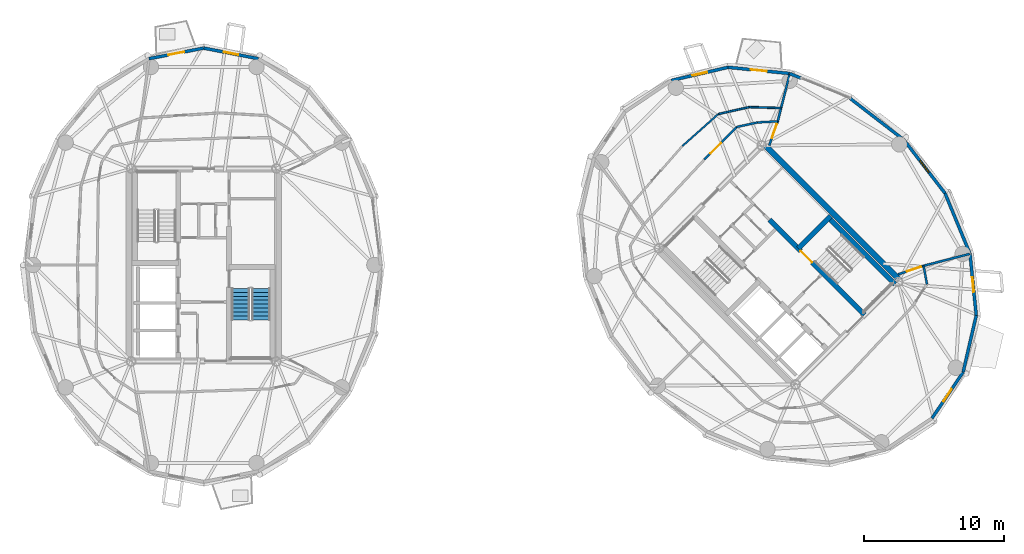
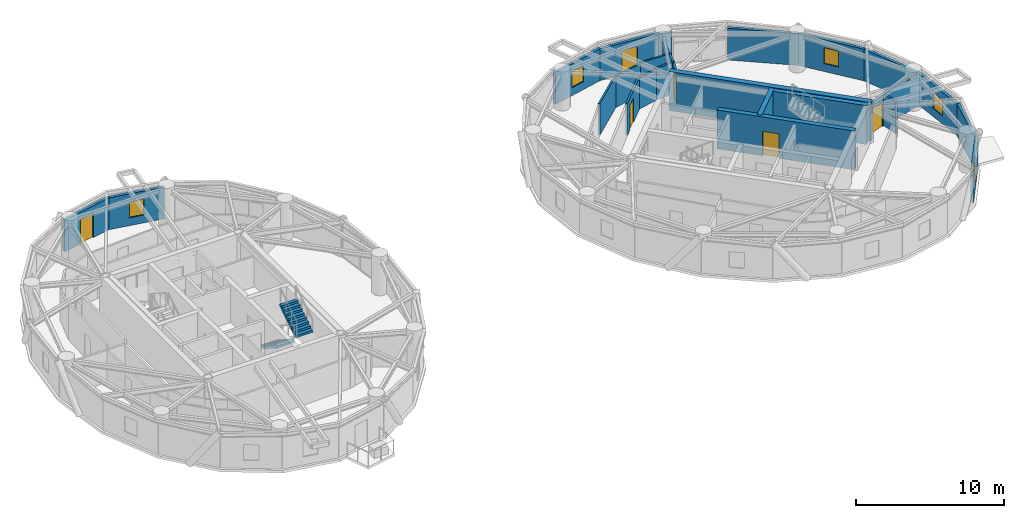
# One storey, part 13 of 17: 26 walls, 6 doors, 5 windows, 2 stair flights, 11 openings, 1 element without a shape of its own.
"""IFC4 building model written with IfcOpenShell, lengths in metres."""

from ifc_helpers import new_model, si_unit, direction, frame, frame_2d, origin, place, context, subcontext, project, spatial, polyline, rectangle, outline, extrude, source, transform, mapped, material, layer, layer_set, type_object, element, fill, aggregate, save


model = new_model("IFC4")

# Units and contexts
model_context = context("Model", 3, precision=1e-05, world=origin(), true_north=direction((0.0, 1.0)))
body_context = subcontext(model_context, "Body", "Model", "MODEL_VIEW")
ifc_project = project(units=[si_unit("LENGTHUNIT", "METRE"), si_unit("AREAUNIT", "SQUARE_METRE"), si_unit("VOLUMEUNIT", "CUBIC_METRE"), si_unit("PLANEANGLEUNIT", "RADIAN"), si_unit("MASSUNIT", "GRAM", prefix="KILO")], contexts=[model_context])

# Site, building, storey
site_placement = place(None, origin())
site = spatial("IfcSite", under=ifc_project, at=site_placement, CompositionType="ELEMENT")
building_placement = place(site_placement, origin())
building = spatial("IfcBuilding", under=site, at=building_placement, Name="Cununo Teusaquillo Station Towers", CompositionType="ELEMENT")
storey_placement = place(building_placement, frame((0.0, 0.0, 222.85009765625)))
storey = spatial("IfcBuildingStorey", under=building, at=storey_placement, Name="L71", CompositionType="ELEMENT", Elevation=222.85009765625)

# Wall, opening, door
ifc_material_1 = material(Name="Concrete C50/60", Category="concrete")
ifc_layer_1 = layer(ifc_material_1, 0.35009765625)
ifc_layer_set_1 = layer_set([ifc_layer_1], Name="Concrete C50/60")
wall_type_1 = type_object("IfcWallType", Name="WL-CORE-350", PredefinedType="SHEAR", material=ifc_layer_set_1)
wall_1_placement = place(storey_placement, frame((63.627197265625, 20.939697265625, 0.0), z_axis=(0.0, 0.0, 1.0), x_axis=(-0.707119496762, 0.707094065383, 0.0)))
wall_1 = element("IfcWall", 1, at=wall_1_placement, inside=storey, type_object=wall_type_1, Name="L71 Tower B Core Shear Wall IE", PredefinedType="SHEAR", context=body_context, shape_type="SweptSolid", body=[
    extrude(rectangle(XDim=9.60009765625, YDim=0.35009765625, at=frame_2d((4.800048828125, 0.0))), origin(), (0.0, 0.0, 1.0), 3.199951171875),
])
shared_shape_1 = source(origin(), body_context, "Body", "SweptSolid", [
    extrude(rectangle(XDim=1.14990234375, YDim=2.02001953125, at=frame_2d((0.574951171875, 1.010009765625))), frame((0.0, 0.18505859375, 0.0), z_axis=(0.0, -1.0, 0.0), x_axis=(1.0, 0.0, 0.0)), (0.0, 0.0, 1.0), 0.3701171875),
])
opening_1_placement = place(wall_1_placement, frame((5.280029296875, 0.0, 0.0)))
opening_1 = element("IfcOpeningElement", 2, at=opening_1_placement, cuts=wall_1, Name="Opening D-ST1", PredefinedType="OPENING", context=body_context, shape_type="MappedRepresentation", body=[
    mapped(shared_shape_1, transform((0.0, 0.0, 0.0), x_axis=(1.0, 0.0, 0.0), y_axis=(0.0, 1.0, 0.0), z_axis=(0.0, 0.0, 1.0), scale=1.0)),
])
ifc_material_2 = material(Name="Galvanised fire-rated hollow steel door assembly", Category="steel")
door_type_1 = type_object("IfcDoorType", Name="DR-STAIR-1150", OperationType="NOTDEFINED", PredefinedType="DOOR", material=ifc_material_2)
shared_shape_2 = source(origin(), body_context, "Body", "SweptSolid", [
    extrude(rectangle(XDim=1.14990234375, YDim=2.02001953125, at=frame_2d((0.574951171875, 1.010009765625))), frame((0.0, 0.02490234375, 0.0), z_axis=(0.0, -1.0, 0.0), x_axis=(1.0, 0.0, 0.0)), (0.0, 0.0, 1.0), 0.050048828125),
])
door_1_placement = place(opening_1_placement, origin())
door_1 = element("IfcDoor", 3, at=door_1_placement, inside=storey, type_object=door_type_1, Name="L71 Tower B Exit Stair 2 Fire Door", OperationType="SINGLE_SWING_LEFT", OverallHeight=2.02001953125, OverallWidth=1.14990234375, PredefinedType="DOOR", context=body_context, shape_type="MappedRepresentation", body=[
    mapped(shared_shape_2, transform((0.0, 0.0, 0.0), x_axis=(1.0, 0.0, 0.0), y_axis=(0.0, 1.0, 0.0), z_axis=(0.0, 0.0, 1.0), scale=1.0)),
])
fill(opening_1, door_1)

# Walls
wall_2_placement = place(storey_placement, frame((65.81201171875, 23.124755859375, 0.0), z_axis=(0.0, 0.0, 1.0), x_axis=(-0.707106781187, 0.707106781187, 0.0)))
element("IfcWall", 4, at=wall_2_placement, inside=storey, type_object=wall_type_1, Name="L71 Tower B Core Shear Wall ST2E", PredefinedType="SHEAR", context=body_context, shape_type="SweptSolid", body=[
    extrude(rectangle(XDim=6.695068359375, YDim=0.35009765625, at=frame_2d((3.34765625, 0.0))), origin(), (0.0, 0.0, 1.0), 3.199951171875),
])
wall_3_placement = place(storey_placement, frame((58.89306640625, 25.673828125, 0.0), z_axis=(0.0, 0.0, 1.0), x_axis=(0.707106781187, 0.707106781187, 0.0)))
element("IfcWall", 5, at=wall_3_placement, inside=storey, type_object=wall_type_1, Name="L71 Tower B Core Shear Wall ST2N", PredefinedType="SHEAR", context=body_context, shape_type="SweptSolid", body=[
    extrude(rectangle(XDim=3.284912109375, YDim=0.35009765625, at=frame_2d((1.642578125, 0.0))), origin(), (0.0, 0.0, 1.0), 3.199951171875),
])
ifc_material_3 = material(Name="Concrete C50/60", Category="concrete")
ifc_layer_2 = layer(ifc_material_3, 0.39990234375)
ifc_layer_set_2 = layer_set([ifc_layer_2], Name="Concrete C50/60")
wall_type_2 = type_object("IfcWallType", Name="WL-CORE-400", PredefinedType="SHEAR", material=ifc_layer_set_2)
wall_4_placement = place(storey_placement, frame((66.26806640625, 23.2978515625, 0.0), z_axis=(0.0, 0.0, 1.0), x_axis=(-0.707106781187, 0.707106781187, 0.0)))
element("IfcWall", 6, at=wall_4_placement, inside=storey, type_object=wall_type_2, Name="L71 Tower B Core Shear Wall E", PredefinedType="SHEAR", context=body_context, shape_type="SweptSolid", body=[
    extrude(rectangle(XDim=14.10009765625, YDim=0.39990234375, at=frame_2d((7.050048828125, 0.0))), origin(), (0.0, 0.0, 1.0), 3.199951171875),
])

# Wall, opening, window
ifc_material_4 = material(Name="Precast concrete C40/50", Category="concrete")
ifc_layer_3 = layer(ifc_material_4, 0.219970703125)
ifc_layer_set_3 = layer_set([ifc_layer_3], Name="Precast concrete C40/50")
wall_type_3 = type_object("IfcWallType", Name="WL-EXT-220", PredefinedType="SOLIDWALL", material=ifc_layer_set_3)
wall_5_placement = place(storey_placement, frame((16.5, 39.969970703125, 0.0), z_axis=(0.0, 0.0, 1.0), x_axis=(0.981700307484, -0.190432419211, 0.0)))
wall_5 = element("IfcWall", 7, at=wall_5_placement, inside=storey, type_object=wall_type_3, Name="L71 Tower A Exterior Facade Wall C04", PredefinedType="SOLIDWALL", context=body_context, shape_type="SweptSolid", body=[
    extrude(rectangle(XDim=3.9755859375, YDim=0.219970703125, at=frame_2d((1.98779296875, 0.0))), origin(), (0.0, 0.0, 1.0), 2.61181640625),
])
shared_shape_3 = source(origin(), body_context, "Body", "SweptSolid", [
    extrude(rectangle(XDim=1.050048828125, YDim=1.300048828125, at=frame_2d((0.52490234375, 0.64990234375))), frame((0.0, 0.119873046875, 0.0), z_axis=(0.0, -1.0, 0.0), x_axis=(1.0, 0.0, 0.0)), (0.0, 0.0, 1.0), 0.239990234375),
])
opening_2_placement = place(wall_5_placement, frame((1.462890625, 0.0, 0.64990234375)))
opening_2 = element("IfcOpeningElement", 8, at=opening_2_placement, cuts=wall_5, Name="Opening WN-04", PredefinedType="OPENING", context=body_context, shape_type="MappedRepresentation", body=[
    mapped(shared_shape_3, transform((0.0, 0.0, 0.0), x_axis=(1.0, 0.0, 0.0), y_axis=(0.0, 1.0, 0.0), z_axis=(0.0, 0.0, 1.0), scale=1.0)),
])
ifc_material_5 = material(Name="Operable acoustic tinted low-E double glazing", Category="glass")
window_type = type_object("IfcWindowType", Name="WIN-BAL-1050", PartitioningType="SINGLE_PANEL", PredefinedType="WINDOW", material=ifc_material_5)
shared_shape_4 = source(origin(), body_context, "Body", "SweptSolid", [
    extrude(rectangle(XDim=1.050048828125, YDim=1.300048828125, at=frame_2d((0.52490234375, 0.64990234375))), frame((0.0, 0.030029296875, 0.0), z_axis=(0.0, -1.0, 0.0), x_axis=(1.0, 0.0, 0.0)), (0.0, 0.0, 1.0), 0.06005859375),
])
window_1_placement = place(opening_2_placement, origin())
window_1 = element("IfcWindow", 9, at=window_1_placement, inside=storey, type_object=window_type, Name="L71 Tower A Facade Window C04", OverallHeight=1.300048828125, OverallWidth=1.050048828125, PartitioningType="SINGLE_PANEL", PredefinedType="WINDOW", context=body_context, shape_type="MappedRepresentation", body=[
    mapped(shared_shape_4, transform((0.0, 0.0, 0.0), x_axis=(1.0, 0.0, 0.0), y_axis=(0.0, 1.0, 0.0), z_axis=(0.0, 0.0, 1.0), scale=1.0)),
])
fill(opening_2, window_1)

# Wall, opening, door
wall_6_placement = place(storey_placement, frame((12.59716796875, 39.212890625, 0.0), z_axis=(0.0, 0.0, 1.0), x_axis=(0.981700307484, 0.190432419211, 0.0)))
wall_6 = element("IfcWall", 10, at=wall_6_placement, inside=storey, type_object=wall_type_3, Name="L71 Tower A Exterior Facade Wall C05", PredefinedType="SOLIDWALL", context=body_context, shape_type="SweptSolid", body=[
    extrude(rectangle(XDim=3.9755859375, YDim=0.219970703125, at=frame_2d((1.98779296875, 0.0))), origin(), (0.0, 0.0, 1.0), 2.61181640625),
])
shared_shape_5 = source(origin(), body_context, "Body", "SweptSolid", [
    extrude(rectangle(XDim=1.14990234375, YDim=2.0048828125, at=frame_2d((0.574951171875, 1.00244140625))), frame((0.0, 0.119873046875, 0.0), z_axis=(0.0, -1.0, 0.0), x_axis=(1.0, 0.0, 0.0)), (0.0, 0.0, 1.0), 0.239990234375),
])
opening_3_placement = place(wall_6_placement, frame((1.4130859375, 0.0, 0.0)))
opening_3 = element("IfcOpeningElement", 11, at=opening_3_placement, cuts=wall_6, Name="Opening ED-03", PredefinedType="OPENING", context=body_context, shape_type="MappedRepresentation", body=[
    mapped(shared_shape_5, transform((0.0, 0.0, 0.0), x_axis=(1.0, 0.0, 0.0), y_axis=(0.0, 1.0, 0.0), z_axis=(0.0, 0.0, 1.0), scale=1.0)),
])
ifc_material_6 = material(Name="Anodised dark bronze aluminium EN AW-6063-T6", Category="aluminium")
door_type_2 = type_object("IfcDoorType", Name="DR-EXT-BAL", OperationType="NOTDEFINED", PredefinedType="DOOR", material=ifc_material_6)
shared_shape_6 = source(origin(), body_context, "Body", "SweptSolid", [
    extrude(rectangle(XDim=1.14990234375, YDim=2.0048828125, at=frame_2d((0.574951171875, 1.00244140625))), frame((0.0, 0.02490234375, 0.0), z_axis=(0.0, -1.0, 0.0), x_axis=(1.0, 0.0, 0.0)), (0.0, 0.0, 1.0), 0.050048828125),
])
door_2_placement = place(opening_3_placement, origin())
door_2 = element("IfcDoor", 12, at=door_2_placement, inside=storey, type_object=door_type_2, Name="L71 Tower A Tree Balcony Door C05", OperationType="SINGLE_SWING_LEFT", OverallHeight=2.0048828125, OverallWidth=1.14990234375, PredefinedType="DOOR", context=body_context, shape_type="MappedRepresentation", body=[
    mapped(shared_shape_6, transform((0.0, 0.0, 0.0), x_axis=(1.0, 0.0, 0.0), y_axis=(0.0, 1.0, 0.0), z_axis=(0.0, 0.0, 1.0), scale=1.0)),
])
fill(opening_3, door_2)

# Walls
wall_7_placement = place(storey_placement, frame((62.61328125, 36.373779296875, 0.0), z_axis=(0.0, 0.0, 1.0), x_axis=(0.791998462147, -0.610523083886, 0.0)))
element("IfcWall", 13, at=wall_7_placement, inside=storey, type_object=wall_type_3, Name="L71 Tower B Exterior Facade Wall C00", PredefinedType="SOLIDWALL", context=body_context, shape_type="SweptSolid", body=[
    extrude(rectangle(XDim=4.8203125, YDim=0.219970703125, at=frame_2d((2.41015625, 0.0))), origin(), (0.0, 0.0, 1.0), 2.61181640625),
])
wall_8_placement = place(storey_placement, frame((58.29541015625, 38.15478515625, 0.0), z_axis=(0.0, 0.0, 1.0), x_axis=(0.924515260676, -0.381145028536, 0.0)))
element("IfcWall", 14, at=wall_8_placement, inside=storey, type_object=wall_type_3, Name="L71 Tower B Column Pier Cladding Wall C01-PA", PredefinedType="SOLIDWALL", context=body_context, shape_type="SweptSolid", body=[
    extrude(rectangle(XDim=0.869873046875, YDim=0.219970703125, at=frame_2d((0.43505859375, 0.0))), origin(), (0.0, 0.0, 1.0), 2.61181640625),
])

# Wall, opening, door
wall_9_placement = place(storey_placement, frame((53.899658203125, 38.59912109375, 0.0), z_axis=(0.0, 0.0, 1.0), x_axis=(0.994929930991, -0.100570534541, 0.0)))
wall_9 = element("IfcWall", 15, at=wall_9_placement, inside=storey, type_object=wall_type_3, Name="L71 Tower B Exterior Facade Wall C02", PredefinedType="SOLIDWALL", context=body_context, shape_type="SweptSolid", body=[
    extrude(rectangle(XDim=4.418212890625, YDim=0.219970703125, at=frame_2d((2.208984375, 0.0))), origin(), (0.0, 0.0, 1.0), 2.61181640625),
])
opening_4_placement = place(wall_9_placement, frame((1.634033203125, 0.0, 0.0)))
opening_4 = element("IfcOpeningElement", 16, at=opening_4_placement, cuts=wall_9, Name="Opening ED-03", PredefinedType="OPENING", context=body_context, shape_type="MappedRepresentation", body=[
    mapped(shared_shape_5, transform((0.0, 0.0, 0.0), x_axis=(1.0, 0.0, 0.0), y_axis=(0.0, 1.0, 0.0), z_axis=(0.0, 0.0, 1.0), scale=1.0)),
])
door_3_placement = place(opening_4_placement, origin())
door_3 = element("IfcDoor", 17, at=door_3_placement, inside=storey, type_object=door_type_2, Name="L71 Tower B Tree Balcony Door C02", OperationType="SINGLE_SWING_LEFT", OverallHeight=2.0048828125, OverallWidth=1.14990234375, PredefinedType="DOOR", context=body_context, shape_type="MappedRepresentation", body=[
    mapped(shared_shape_6, transform((0.0, 0.0, 0.0), x_axis=(1.0, 0.0, 0.0), y_axis=(0.0, 1.0, 0.0), z_axis=(0.0, 0.0, 1.0), scale=1.0)),
])
fill(opening_4, door_3)

# Wall, opening, window
wall_10_placement = place(storey_placement, frame((49.856201171875, 37.663330078125, 0.0), z_axis=(0.0, 0.0, 1.0), x_axis=(0.974249228678, 0.225473813158, 0.0)))
wall_10 = element("IfcWall", 18, at=wall_10_placement, inside=storey, type_object=wall_type_3, Name="L71 Tower B Exterior Facade Wall C03", PredefinedType="SOLIDWALL", context=body_context, shape_type="SweptSolid", body=[
    extrude(rectangle(XDim=4.150390625, YDim=0.219970703125, at=frame_2d((2.0751953125, 0.0))), origin(), (0.0, 0.0, 1.0), 2.61181640625),
])
opening_5_placement = place(wall_10_placement, frame((1.550048828125, 0.0, 0.64990234375)))
opening_5 = element("IfcOpeningElement", 19, at=opening_5_placement, cuts=wall_10, Name="Opening WN-04", PredefinedType="OPENING", context=body_context, shape_type="MappedRepresentation", body=[
    mapped(shared_shape_3, transform((0.0, 0.0, 0.0), x_axis=(1.0, 0.0, 0.0), y_axis=(0.0, 1.0, 0.0), z_axis=(0.0, 0.0, 1.0), scale=1.0)),
])
window_2_placement = place(opening_5_placement, origin())
window_2 = element("IfcWindow", 20, at=window_2_placement, inside=storey, type_object=window_type, Name="L71 Tower B Facade Window C03", OverallHeight=1.300048828125, OverallWidth=1.050048828125, PartitioningType="SINGLE_PANEL", PredefinedType="WINDOW", context=body_context, shape_type="MappedRepresentation", body=[
    mapped(shared_shape_4, transform((0.0, 0.0, 0.0), x_axis=(1.0, 0.0, 0.0), y_axis=(0.0, 1.0, 0.0), z_axis=(0.0, 0.0, 1.0), scale=1.0)),
])
fill(opening_5, window_2)

wall_11_placement = place(storey_placement, frame((70.663330078125, 16.856201171875, 0.0), z_axis=(0.0, 0.0, 1.0), x_axis=(-0.559495003079, -0.828833723692, 0.0)))
wall_11 = element("IfcWall", 21, at=wall_11_placement, inside=storey, type_object=wall_type_3, Name="L71 Tower B Exterior Facade Wall C15", PredefinedType="SOLIDWALL", context=body_context, shape_type="SweptSolid", body=[
    extrude(rectangle(XDim=3.9755859375, YDim=0.219970703125, at=frame_2d((1.98779296875, 0.0))), origin(), (0.0, 0.0, 1.0), 2.61181640625),
])
opening_6_placement = place(wall_11_placement, frame((1.462890625, 0.0, 0.64990234375)))
opening_6 = element("IfcOpeningElement", 22, at=opening_6_placement, cuts=wall_11, Name="Opening WN-04", PredefinedType="OPENING", context=body_context, shape_type="MappedRepresentation", body=[
    mapped(shared_shape_3, transform((0.0, 0.0, 0.0), x_axis=(1.0, 0.0, 0.0), y_axis=(0.0, 1.0, 0.0), z_axis=(0.0, 0.0, 1.0), scale=1.0)),
])
window_3_placement = place(opening_6_placement, origin())
window_3 = element("IfcWindow", 23, at=window_3_placement, inside=storey, type_object=window_type, Name="L71 Tower B Facade Window C15", OverallHeight=1.300048828125, OverallWidth=1.050048828125, PartitioningType="SINGLE_PANEL", PredefinedType="WINDOW", context=body_context, shape_type="MappedRepresentation", body=[
    mapped(shared_shape_4, transform((0.0, 0.0, 0.0), x_axis=(1.0, 0.0, 0.0), y_axis=(0.0, 1.0, 0.0), z_axis=(0.0, 0.0, 1.0), scale=1.0)),
])
fill(opening_6, window_3)

# Wall
wall_12_placement = place(storey_placement, frame((71.59912109375, 20.899658203125, 0.0), z_axis=(0.0, 0.0, 1.0), x_axis=(-0.225473813158, -0.974249228678, 0.0)))
element("IfcWall", 24, at=wall_12_placement, inside=storey, type_object=wall_type_3, Name="L71 Tower B Exterior Facade Wall C16", PredefinedType="SOLIDWALL", context=body_context, shape_type="SweptSolid", body=[
    extrude(rectangle(XDim=4.150390625, YDim=0.219970703125, at=frame_2d((2.0751953125, 0.0))), origin(), (0.0, 0.0, 1.0), 2.61181640625),
])

# Wall, opening, window
wall_13_placement = place(storey_placement, frame((71.15478515625, 25.29541015625, 0.0), z_axis=(0.0, 0.0, 1.0), x_axis=(0.100570534541, -0.994929930991, 0.0)))
wall_13 = element("IfcWall", 25, at=wall_13_placement, inside=storey, type_object=wall_type_3, Name="L71 Tower B Exterior Facade Wall C17", PredefinedType="SOLIDWALL", context=body_context, shape_type="SweptSolid", body=[
    extrude(rectangle(XDim=4.418212890625, YDim=0.219970703125, at=frame_2d((2.208984375, 0.0))), origin(), (0.0, 0.0, 1.0), 2.61181640625),
])
opening_7_placement = place(wall_13_placement, frame((1.68408203125, 0.0, 0.64990234375)))
opening_7 = element("IfcOpeningElement", 26, at=opening_7_placement, cuts=wall_13, Name="Opening WN-04", PredefinedType="OPENING", context=body_context, shape_type="MappedRepresentation", body=[
    mapped(shared_shape_3, transform((0.0, 0.0, 0.0), x_axis=(1.0, 0.0, 0.0), y_axis=(0.0, 1.0, 0.0), z_axis=(0.0, 0.0, 1.0), scale=1.0)),
])
window_4_placement = place(opening_7_placement, origin())
window_4 = element("IfcWindow", 27, at=window_4_placement, inside=storey, type_object=window_type, Name="L71 Tower B Facade Window C17", OverallHeight=1.300048828125, OverallWidth=1.050048828125, PartitioningType="SINGLE_PANEL", PredefinedType="WINDOW", context=body_context, shape_type="MappedRepresentation", body=[
    mapped(shared_shape_4, transform((0.0, 0.0, 0.0), x_axis=(1.0, 0.0, 0.0), y_axis=(0.0, 1.0, 0.0), z_axis=(0.0, 0.0, 1.0), scale=1.0)),
])
fill(opening_7, window_4)

# Wall
wall_14_placement = place(storey_placement, frame((69.373779296875, 29.61328125, 0.0), z_axis=(0.0, 0.0, 1.0), x_axis=(0.381309704956, -0.924447353237, 0.0)))
element("IfcWall", 28, at=wall_14_placement, inside=storey, type_object=wall_type_3, Name="L71 Tower B Exterior Facade Wall C18", PredefinedType="SOLIDWALL", context=body_context, shape_type="SweptSolid", body=[
    extrude(rectangle(XDim=4.670654296875, YDim=0.219970703125, at=frame_2d((2.33544921875, 0.0))), origin(), (0.0, 0.0, 1.0), 2.61181640625),
])

# Wall, opening, window
wall_15_placement = place(storey_placement, frame((66.430908203125, 33.430908203125, 0.0), z_axis=(0.0, 0.0, 1.0), x_axis=(0.610523083886, -0.791998462147, 0.0)))
wall_15 = element("IfcWall", 29, at=wall_15_placement, inside=storey, type_object=wall_type_3, Name="L71 Tower B Exterior Facade Wall C19", PredefinedType="SOLIDWALL", context=body_context, shape_type="SweptSolid", body=[
    extrude(rectangle(XDim=4.8203125, YDim=0.219970703125, at=frame_2d((2.41015625, 0.0))), origin(), (0.0, 0.0, 1.0), 2.61181640625),
])
opening_8_placement = place(wall_15_placement, frame((1.885009765625, 0.0, 0.64990234375)))
opening_8 = element("IfcOpeningElement", 30, at=opening_8_placement, cuts=wall_15, Name="Opening WN-04", PredefinedType="OPENING", context=body_context, shape_type="MappedRepresentation", body=[
    mapped(shared_shape_3, transform((0.0, 0.0, 0.0), x_axis=(1.0, 0.0, 0.0), y_axis=(0.0, 1.0, 0.0), z_axis=(0.0, 0.0, 1.0), scale=1.0)),
])
window_5_placement = place(opening_8_placement, origin())
window_5 = element("IfcWindow", 31, at=window_5_placement, inside=storey, type_object=window_type, Name="L71 Tower B Facade Window C19", OverallHeight=1.300048828125, OverallWidth=1.050048828125, PartitioningType="SINGLE_PANEL", PredefinedType="WINDOW", context=body_context, shape_type="MappedRepresentation", body=[
    mapped(shared_shape_4, transform((0.0, 0.0, 0.0), x_axis=(1.0, 0.0, 0.0), y_axis=(0.0, 1.0, 0.0), z_axis=(0.0, 0.0, 1.0), scale=1.0)),
])
fill(opening_8, window_5)

# Walls
ifc_material_7 = material(Name="Fire-rated gypsum plasterboard partition assembly", Category="gypsum")
ifc_layer_4 = layer(ifc_material_7, 0.125)
ifc_layer_set_4 = layer_set([ifc_layer_4], Name="Fire-rated gypsum plasterboard partition assembly")
wall_type_4 = type_object("IfcWallType", Name="WL-PART-125", PredefinedType="PARTITIONING", material=ifc_layer_set_4)
wall_16_placement = place(storey_placement, frame((57.678955078125, 35.693359375, 0.0), z_axis=(0.0, 0.0, 1.0), x_axis=(-0.999526298938, 0.030776252722, 0.0)))
element("IfcWall", 32, at=wall_16_placement, inside=storey, type_object=wall_type_4, Name="L71 Tower B 300-Metre Panoramic Dining Hall Concentric Partition Wall C02", PredefinedType="PARTITIONING", context=body_context, shape_type="SweptSolid", body=[
    extrude(rectangle(XDim=2.2607421875, YDim=0.125, at=frame_2d((1.13037109375, 0.0))), origin(), (0.0, 0.0, 1.0), 2.61181640625),
])
wall_17_placement = place(storey_placement, frame((55.419189453125, 35.762939453125, 0.0), z_axis=(0.0, 0.0, 1.0), x_axis=(-0.975917771425, -0.218138725166, 0.0)))
element("IfcWall", 33, at=wall_17_placement, inside=storey, type_object=wall_type_4, Name="L71 Tower B 300-Metre Panoramic Dining Hall Concentric Partition Wall C03", PredefinedType="PARTITIONING", context=body_context, shape_type="SweptSolid", body=[
    extrude(rectangle(XDim=2.267578125, YDim=0.125, at=frame_2d((1.1337890625, 0.0))), origin(), (0.0, 0.0, 1.0), 2.544921875),
])
wall_18_placement = place(storey_placement, frame((53.206298828125, 35.268310546875, 0.0), z_axis=(0.0, 0.0, 1.0), x_axis=(-0.746677760999, -0.665185929819, 0.0)))
element("IfcWall", 34, at=wall_18_placement, inside=storey, type_object=wall_type_4, Name="L71 Tower B 300-Metre Panoramic Dining Hall Concentric Partition Wall C04", PredefinedType="PARTITIONING", context=body_context, shape_type="SweptSolid", body=[
    extrude(rectangle(XDim=3.4453125, YDim=0.125, at=frame_2d((1.72265625, 0.0))), origin(), (0.0, 0.0, 1.0), 2.61181640625),
])
ifc_material_8 = material(Name="Fire-rated gypsum plasterboard partition assembly", Category="gypsum")
ifc_layer_5 = layer(ifc_material_8, 0.14990234375)
ifc_layer_set_5 = layer_set([ifc_layer_5], Name="Fire-rated gypsum plasterboard partition assembly")
wall_type_5 = type_object("IfcWallType", Name="WL-PART-150", PredefinedType="PARTITIONING", material=ifc_layer_set_5)
wall_19_placement = place(storey_placement, frame((57.4404296875, 34.743896484375, 0.0), z_axis=(0.0, 0.0, 1.0), x_axis=(-0.998578025565, -0.053309725738, 0.0)))
element("IfcWall", 35, at=wall_19_placement, inside=storey, type_object=wall_type_5, Name="L71 Tower B Corridor Ring Wall C02", PredefinedType="PARTITIONING", context=body_context, shape_type="SweptSolid", body=[
    extrude(rectangle(XDim=1.433349609375, YDim=0.14990234375, at=frame_2d((0.716796875, 0.0))), origin(), (0.0, 0.0, 1.0), 2.61181640625),
])
wall_20_placement = place(storey_placement, frame((56.009033203125, 34.66748046875, 0.0), z_axis=(0.0, 0.0, 1.0), x_axis=(-0.977625498152, -0.210353001795, 0.0)))
element("IfcWall", 36, at=wall_20_placement, inside=storey, type_object=wall_type_5, Name="L71 Tower B Corridor Ring Wall C03", PredefinedType="PARTITIONING", context=body_context, shape_type="SweptSolid", body=[
    extrude(rectangle(XDim=1.537841796875, YDim=0.14990234375, at=frame_2d((0.76904296875, 0.0))), origin(), (0.0, 0.0, 1.0), 2.544921875),
])

# Wall, opening, door
wall_21_placement = place(storey_placement, frame((54.505615234375, 34.343994140625, 0.0), z_axis=(0.0, 0.0, 1.0), x_axis=(-0.703053402247, -0.711137056824, 0.0)))
wall_21 = element("IfcWall", 37, at=wall_21_placement, inside=storey, type_object=wall_type_5, Name="L71 Tower B Corridor Ring Wall C04", PredefinedType="PARTITIONING", context=body_context, shape_type="SweptSolid", body=[
    extrude(rectangle(XDim=3.26171875, YDim=0.14990234375, at=frame_2d((1.630859375, 0.0))), origin(), (0.0, 0.0, 1.0), 2.61181640625),
])
shared_shape_7 = source(origin(), body_context, "Body", "SweptSolid", [
    extrude(rectangle(XDim=1.050048828125, YDim=2.014892578125, at=frame_2d((0.52490234375, 1.00732421875))), frame((0.0, 0.0849609375, 0.0), z_axis=(0.0, -1.0, 0.0), x_axis=(1.0, 0.0, 0.0)), (0.0, 0.0, 1.0), 0.169921875),
])
opening_9_placement = place(wall_21_placement, frame((1.598876953125, 0.0, 0.0)))
opening_9 = element("IfcOpeningElement", 38, at=opening_9_placement, cuts=wall_21, Name="Opening D-SU1", PredefinedType="OPENING", context=body_context, shape_type="MappedRepresentation", body=[
    mapped(shared_shape_7, transform((0.0, 0.0, 0.0), x_axis=(1.0, 0.0, 0.0), y_axis=(0.0, 1.0, 0.0), z_axis=(0.0, 0.0, 1.0), scale=1.0)),
])
ifc_material_9 = material(Name="Acoustic solid-core hardwood leaf assembly", Category="wood")
door_type_3 = type_object("IfcDoorType", Name="DR-SUITE-1050", OperationType="NOTDEFINED", PredefinedType="DOOR", material=ifc_material_9)
shared_shape_8 = source(origin(), body_context, "Body", "SweptSolid", [
    extrude(rectangle(XDim=1.050048828125, YDim=2.014892578125, at=frame_2d((0.52490234375, 1.00732421875))), frame((0.0, 0.02490234375, 0.0), z_axis=(0.0, -1.0, 0.0), x_axis=(1.0, 0.0, 0.0)), (0.0, 0.0, 1.0), 0.050048828125),
])
door_4_placement = place(opening_9_placement, origin())
door_4 = element("IfcDoor", 39, at=door_4_placement, inside=storey, type_object=door_type_3, Name="L71 Tower B 300-Metre Panoramic Dining Hall Entrance Door", OperationType="SINGLE_SWING_LEFT", OverallHeight=2.014892578125, OverallWidth=1.050048828125, PredefinedType="DOOR", context=body_context, shape_type="MappedRepresentation", body=[
    mapped(shared_shape_8, transform((0.0, 0.0, 0.0), x_axis=(1.0, 0.0, 0.0), y_axis=(0.0, 1.0, 0.0), z_axis=(0.0, 0.0, 1.0), scale=1.0)),
])
fill(opening_9, door_4)

# Walls
wall_22_placement = place(storey_placement, frame((68.08642578125, 23.12939453125, 0.0), z_axis=(0.0, 0.0, 1.0), x_axis=(-0.182004193146, 0.983297754334, 0.0)))
element("IfcWall", 40, at=wall_22_placement, inside=storey, type_object=wall_type_5, Name="L71 Tower B Corridor Ring Wall C17", PredefinedType="PARTITIONING", context=body_context, shape_type="SweptSolid", body=[
    extrude(rectangle(XDim=1.3359375, YDim=0.14990234375, at=frame_2d((0.66796875, 0.0))), origin(), (0.0, 0.0, 1.0), 2.61181640625),
])
ifc_material_10 = material(Name="Fire-rated gypsum plasterboard partition assembly", Category="gypsum")
ifc_layer_6 = layer(ifc_material_10, 0.159912109375)
ifc_layer_set_6 = layer_set([ifc_layer_6], Name="Fire-rated gypsum plasterboard partition assembly")
wall_type_6 = type_object("IfcWallType", Name="WL-PART-160", PredefinedType="PARTITIONING", material=ifc_layer_set_6)
wall_23_placement = place(storey_placement, frame((57.4404296875, 34.743896484375, 0.0), z_axis=(0.0, 0.0, 1.0), x_axis=(0.243619816457, 0.969870808422, 0.0)))
element("IfcWall", 41, at=wall_23_placement, inside=storey, type_object=wall_type_6, Name="L71 Tower B Radial Suite Partition R01", PredefinedType="PARTITIONING", context=body_context, shape_type="SweptSolid", body=[
    extrude(rectangle(XDim=3.496337890625, YDim=0.159912109375, at=frame_2d((1.748046875, 0.0))), origin(), (0.0, 0.0, 1.0), 2.61181640625),
])
wall_24_placement = place(storey_placement, frame((67.84326171875, 24.443115234375, 0.0), z_axis=(0.0, 0.0, 1.0), x_axis=(0.968303102463, 0.249778105048, 0.0)))
element("IfcWall", 42, at=wall_24_placement, inside=storey, type_object=wall_type_6, Name="L71 Tower B Radial Suite Partition R05", PredefinedType="PARTITIONING", context=body_context, shape_type="SweptSolid", body=[
    extrude(rectangle(XDim=3.3994140625, YDim=0.159912109375, at=frame_2d((1.69970703125, 0.0))), origin(), (0.0, 0.0, 1.0), 2.61181640625),
])

# Wall, opening, door
wall_25_placement = place(storey_placement, frame((56.828125, 33.0205078125, 0.0), z_axis=(0.0, 0.0, 1.0), x_axis=(0.334788446034, 0.942293317605, 0.0)))
wall_25 = element("IfcWall", 43, at=wall_25_placement, inside=storey, type_object=wall_type_6, Name="L71 Tower B East Salon Corridor Portal Wall NE", PredefinedType="PARTITIONING", context=body_context, shape_type="SweptSolid", body=[
    extrude(rectangle(XDim=1.828857421875, YDim=0.159912109375, at=frame_2d((0.91455078125, 0.0))), origin(), (0.0, 0.0, 1.0), 2.544921875),
])
shared_shape_9 = source(origin(), body_context, "Body", "SweptSolid", [
    extrude(rectangle(XDim=1.050048828125, YDim=2.014892578125, at=frame_2d((0.52490234375, 1.00732421875))), frame((0.0, 0.08984375, 0.0), z_axis=(0.0, -1.0, 0.0), x_axis=(1.0, 0.0, 0.0)), (0.0, 0.0, 1.0), 0.179931640625),
])
opening_10_placement = place(wall_25_placement, frame((0.578857421875, 0.0, 0.0)))
opening_10 = element("IfcOpeningElement", 44, at=opening_10_placement, cuts=wall_25, Name="Opening D-SU1", PredefinedType="OPENING", context=body_context, shape_type="MappedRepresentation", body=[
    mapped(shared_shape_9, transform((0.0, 0.0, 0.0), x_axis=(1.0, 0.0, 0.0), y_axis=(0.0, 1.0, 0.0), z_axis=(0.0, 0.0, 1.0), scale=1.0)),
])
door_5_placement = place(opening_10_placement, origin())
door_5 = element("IfcDoor", 45, at=door_5_placement, inside=storey, type_object=door_type_3, Name="L71 Tower B East Panorama Sky Salon Door NE", OperationType="SINGLE_SWING_LEFT", OverallHeight=2.014892578125, OverallWidth=1.050048828125, PredefinedType="DOOR", context=body_context, shape_type="MappedRepresentation", body=[
    mapped(shared_shape_8, transform((0.0, 0.0, 0.0), x_axis=(1.0, 0.0, 0.0), y_axis=(0.0, 1.0, 0.0), z_axis=(0.0, 0.0, 1.0), scale=1.0)),
])
fill(opening_10, door_5)

wall_26_placement = place(storey_placement, frame((66.0205078125, 23.828125, 0.0), z_axis=(0.0, 0.0, 1.0), x_axis=(0.947522075691, 0.319690344049, 0.0)))
wall_26 = element("IfcWall", 46, at=wall_26_placement, inside=storey, type_object=wall_type_6, Name="L71 Tower B East Salon Corridor Portal Wall SE", PredefinedType="PARTITIONING", context=body_context, shape_type="SweptSolid", body=[
    extrude(rectangle(XDim=1.923583984375, YDim=0.159912109375, at=frame_2d((0.9619140625, 0.0))), origin(), (0.0, 0.0, 1.0), 2.544921875),
])
opening_11_placement = place(wall_26_placement, frame((0.673583984375, 0.0, 0.0)))
opening_11 = element("IfcOpeningElement", 47, at=opening_11_placement, cuts=wall_26, Name="Opening D-SU1", PredefinedType="OPENING", context=body_context, shape_type="MappedRepresentation", body=[
    mapped(shared_shape_9, transform((0.0, 0.0, 0.0), x_axis=(1.0, 0.0, 0.0), y_axis=(0.0, 1.0, 0.0), z_axis=(0.0, 0.0, 1.0), scale=1.0)),
])
door_6_placement = place(opening_11_placement, origin())
door_6 = element("IfcDoor", 48, at=door_6_placement, inside=storey, type_object=door_type_3, Name="L71 Tower B East Panorama Sky Salon Door SE", OperationType="SINGLE_SWING_RIGHT", OverallHeight=2.014892578125, OverallWidth=1.050048828125, PredefinedType="DOOR", context=body_context, shape_type="MappedRepresentation", body=[
    mapped(shared_shape_8, transform((0.0, 0.0, 0.0), x_axis=(1.0, 0.0, 0.0), y_axis=(0.0, 1.0, 0.0), z_axis=(0.0, 0.0, 1.0), scale=1.0)),
])
fill(opening_11, door_6)

# Stair, stair flights
ifc_material_11 = material(Name="Concrete C50/60", Category="concrete")
stair_type = type_object("IfcStairType", Name="ST-TWR-1300", PredefinedType="HALF_TURN_STAIR", material=ifc_material_11)
stair_placement = place(storey_placement, origin())
stair = element("IfcStair", 49, at=stair_placement, inside=storey, type_object=stair_type, Name="L71 Tower A Protected Core Exit Stair 2", PredefinedType="HALF_TURN_STAIR")
ifc_material_12 = material(Name="Concrete C50/60", Category="concrete")
stair_flight_type = type_object("IfcStairFlightType", Name="SFL-TWR-1300", PredefinedType="STRAIGHT", material=ifc_material_12)
stair_flight_1_placement = place(storey_placement, frame((19.1298828125, 22.830078125, 0.0), z_axis=(0.0, 0.0, 1.0), x_axis=(0.0, -1.0, 0.0)))
stair_flight_1 = element("IfcStairFlight", 50, at=stair_flight_1_placement, type_object=stair_flight_type, Name="ST-T1-2 flight 1", NumberOfRisers=9, NumberOfTreads=8, PredefinedType="STRAIGHT", RiserHeight=0.177777778, TreadLength=0.28, context=body_context, shape_type="SweptSolid", body=[
    extrude(outline(polyline([(0.0, 0.0), (0.0, 0.177734375), (0.280029296875, 0.177734375), (0.280029296875, 0.35546875), (0.56005859375, 0.35546875), (0.56005859375, 0.533447265625), (0.840087890625, 0.533447265625), (0.840087890625, 0.711181640625), (1.1201171875, 0.711181640625), (1.1201171875, 0.888916015625), (1.39990234375, 0.888916015625), (1.39990234375, 1.066650390625), (1.679931640625, 1.066650390625), (1.679931640625, 1.244384765625), (1.9599609375, 1.244384765625), (1.9599609375, 1.422119140625), (2.239990234375, 1.422119140625), (2.239990234375, 1.60009765625), (2.239990234375, 1.24462890625), (0.27978515625, 0.0), (0.0, 0.0)])), frame((0.0, 0.64990234375, 0.0), z_axis=(0.0, -1.0, 0.0), x_axis=(1.0, 0.0, 0.0)), (0.0, 0.0, 1.0), 1.300048828125),
])
stair_flight_2_placement = place(storey_placement, frame((20.590087890625, 20.590087890625, 1.599853515625), z_axis=(0.0, 0.0, 1.0), x_axis=(0.0, 1.0, 0.0)))
stair_flight_2 = element("IfcStairFlight", 51, at=stair_flight_2_placement, type_object=stair_flight_type, Name="ST-T1-2 flight 2", NumberOfRisers=9, NumberOfTreads=8, PredefinedType="STRAIGHT", RiserHeight=0.177777778, TreadLength=0.28, context=body_context, shape_type="SweptSolid", body=[
    extrude(outline(polyline([(0.0, 0.0), (0.0, 0.177734375), (0.280029296875, 0.177734375), (0.280029296875, 0.35546875), (0.56005859375, 0.35546875), (0.56005859375, 0.533447265625), (0.840087890625, 0.533447265625), (0.840087890625, 0.711181640625), (1.1201171875, 0.711181640625), (1.1201171875, 0.888916015625), (1.39990234375, 0.888916015625), (1.39990234375, 1.066650390625), (1.679931640625, 1.066650390625), (1.679931640625, 1.244384765625), (1.9599609375, 1.244384765625), (1.9599609375, 1.422119140625), (2.239990234375, 1.422119140625), (2.239990234375, 1.60009765625), (2.239990234375, 1.24462890625), (0.27978515625, 0.0), (0.0, 0.0)])), frame((0.0, 0.64990234375, 0.0), z_axis=(0.0, -1.0, 0.0), x_axis=(1.0, 0.0, 0.0)), (0.0, 0.0, 1.0), 1.300048828125),
])
aggregate(stair, [stair_flight_1, stair_flight_2])

save(model, "model.ifc")
